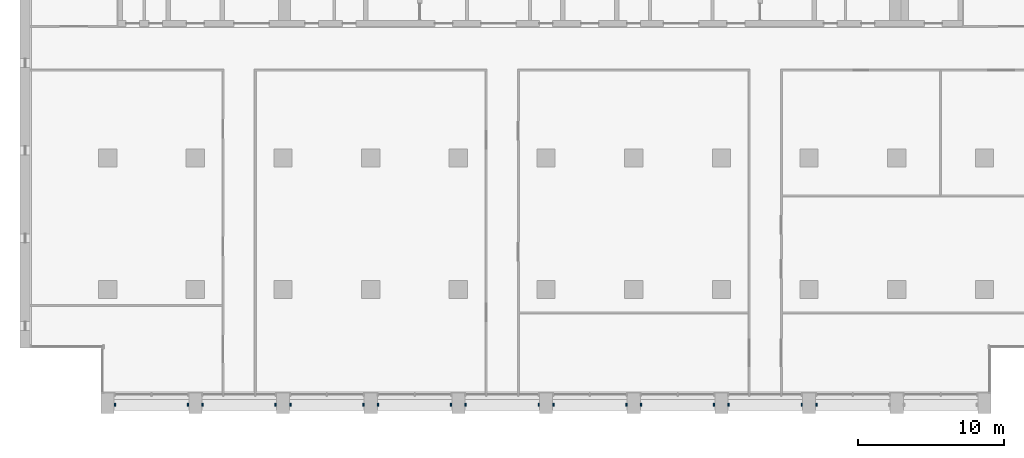
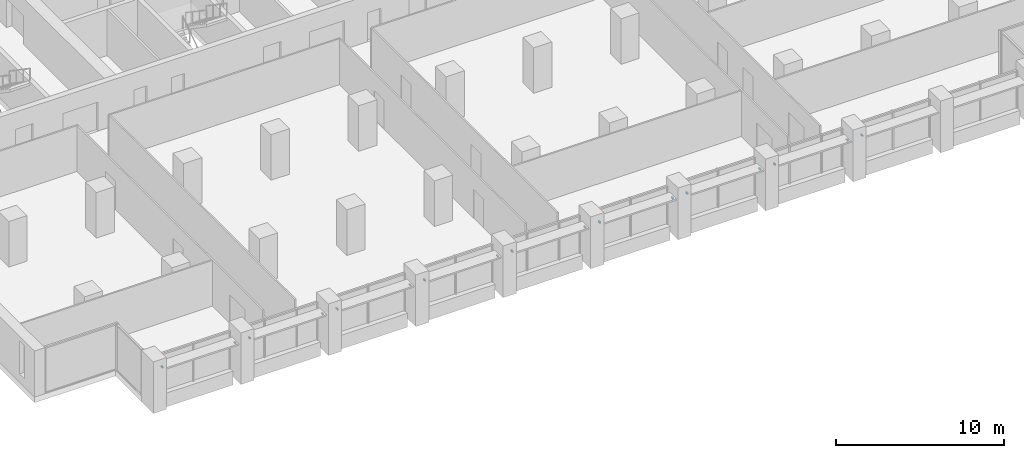
# One storey, part 14 of 16: 17 discrete accessories.
"""IFC4 building model written with IfcOpenShell, lengths in metres."""

from ifc_helpers import new_model, si_unit, direction, frame, origin, origin_2d, place, context, subcontext, project, spatial, rectangle, extrude, element, save


model = new_model("IFC4")

# Units and contexts
model_context = context("Model", 3, precision=1e-05, world=origin(), true_north=direction((0.0, 1.0)))
body_context = subcontext(model_context, "Body", "Model", "MODEL_VIEW")
ifc_project = project(units=[si_unit("LENGTHUNIT", "METRE"), si_unit("AREAUNIT", "SQUARE_METRE"), si_unit("VOLUMEUNIT", "CUBIC_METRE"), si_unit("PLANEANGLEUNIT", "RADIAN"), si_unit("MASSUNIT", "GRAM", prefix="KILO")], contexts=[model_context])

# Site, building, storey
site_placement = place(None, origin())
site = spatial("IfcSite", under=ifc_project, at=site_placement, CompositionType="ELEMENT")
building_placement = place(site_placement, origin())
building = spatial("IfcBuilding", under=site, at=building_placement, Name="Calvaro Tower", CompositionType="ELEMENT")
storey_placement = place(building_placement, frame((0.0, 0.0, 136.25)))
storey = spatial("IfcBuildingStorey", under=building, at=storey_placement, Name="L34", CompositionType="ELEMENT", Elevation=136.25)

# Discrete accessories
for number, where, z_axis, x_axis, name in (
    (1, (6.5, 2.10009765625, 2.25), (0.0, 0.0, 1.0), (1.0, 0.0, 0.0), "Brise-soleil bracket"),
    (2, (11.5, 2.10009765625, 2.25), (0.0, 0.0, 1.0), (1.0, 0.0, 0.0), "Brise-soleil bracket"),
    (3, (12.5, 2.10009765625, 2.25), (0.0, 0.0, 1.0), (1.0, 0.0, 0.0), "Brise-soleil bracket"),
    (4, (17.5, 2.10009765625, 2.25), (0.0, 0.0, 1.0), (1.0, 0.0, 0.0), "Brise-soleil bracket"),
    (5, (18.5, 2.10009765625, 2.25), (0.0, 0.0, 1.0), (1.0, 0.0, 0.0), "Brise-soleil bracket"),
    (6, (23.5, 2.10009765625, 2.25), (0.0, 0.0, 1.0), (1.0, 0.0, 0.0), "Brise-soleil bracket"),
    (7, (24.5, 2.10009765625, 2.25), (0.0, 0.0, 1.0), (1.0, 0.0, 0.0), "Brise-soleil bracket"),
    (8, (29.5, 2.10009765625, 2.25), (0.0, 0.0, 1.0), (1.0, 0.0, 0.0), "Brise-soleil bracket"),
    (9, (30.5, 2.10009765625, 2.25), (0.0, 0.0, 1.0), (1.0, 0.0, 0.0), "Brise-soleil bracket"),
    (10, (35.5, 2.10009765625, 2.25), (0.0, 0.0, 1.0), (1.0, 0.0, 0.0), "Brise-soleil bracket"),
    (11, (36.5, 2.10009765625, 2.25), (0.0, 0.0, 1.0), (1.0, 0.0, 0.0), "Brise-soleil bracket"),
    (12, (41.5, 2.10009765625, 2.25), (0.0, 0.0, 1.0), (1.0, 0.0, 0.0), "Brise-soleil bracket"),
    (13, (42.5, 2.10009765625, 2.25), (0.0, 0.0, 1.0), (1.0, 0.0, 0.0), "Brise-soleil bracket"),
    (14, (47.5, 2.10009765625, 2.25), (0.0, 0.0, 1.0), (1.0, 0.0, 0.0), "Brise-soleil bracket"),
    (15, (48.5, 2.10009765625, 2.25), (0.0, 0.0, 1.0), (1.0, 0.0, 0.0), "Brise-soleil bracket"),
    (16, (53.5, 2.10009765625, 2.25), (0.0, 0.0, 1.0), (1.0, 0.0, 0.0), "Brise-soleil bracket"),
    (17, (54.5, 2.10009765625, 2.25), (0.0, 0.0, 1.0), (1.0, 0.0, 0.0), "Brise-soleil bracket"),
):
    element("IfcDiscreteAccessory", number, at=place(storey_placement, frame(where, z_axis=z_axis, x_axis=x_axis)), inside=storey, Name=name, PredefinedType="BRACKET", context=body_context, shape_type="SweptSolid", body=[
        extrude(rectangle(XDim=0.10009765625, YDim=0.199951171875, at=origin_2d()), origin(), (0.0, 0.0, 1.0), 0.10009765625),
    ])

save(model, "model.ifc")
